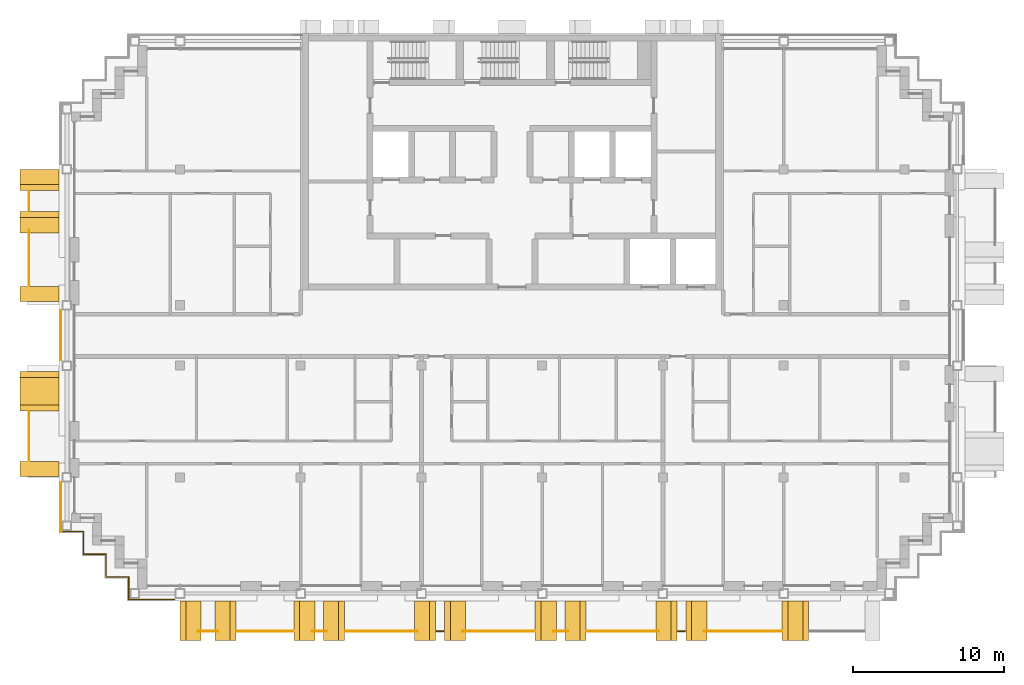
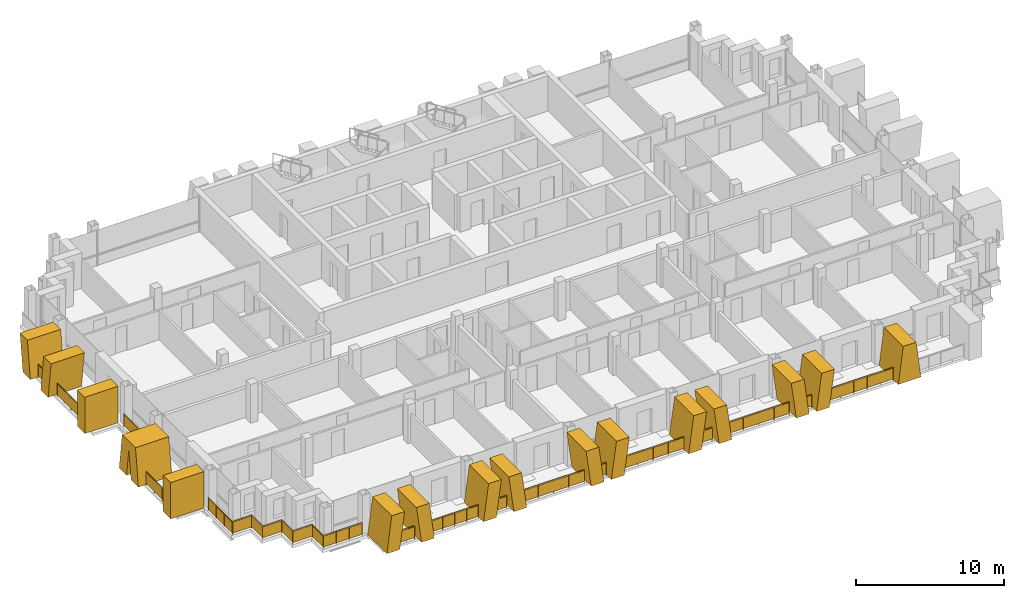
# One storey, part 13 of 16: 16 railings, 16 shading devices.
"""IFC4 building model written with IfcOpenShell, lengths in metres."""

from ifc_helpers import new_model, si_unit, direction, frame, origin, origin_2d, place, context, subcontext, project, spatial, polyline, rectangle, circle, outline, extrude, material, layer, layer_set, type_object, element, save


model = new_model("IFC4")

# Units and contexts
model_context = context("Model", 3, precision=1e-05, world=origin(), true_north=direction((0.0, 1.0)))
body_context = subcontext(model_context, "Body", "Model", "MODEL_VIEW")
ifc_project = project(units=[si_unit("LENGTHUNIT", "METRE"), si_unit("AREAUNIT", "SQUARE_METRE"), si_unit("VOLUMEUNIT", "CUBIC_METRE"), si_unit("PLANEANGLEUNIT", "RADIAN"), si_unit("MASSUNIT", "GRAM", prefix="KILO")], contexts=[model_context])

# Site, building, storey
site_placement = place(None, origin())
site = spatial("IfcSite", under=ifc_project, at=site_placement, CompositionType="ELEMENT")
building_placement = place(site_placement, origin())
building = spatial("IfcBuilding", under=site, at=building_placement, Name="Vidyagriha Tower", CompositionType="ELEMENT")
storey_placement = place(building_placement, frame((0.0, 0.0, 230.0)))
storey = spatial("IfcBuildingStorey", under=building, at=storey_placement, Name="L60", CompositionType="ELEMENT", Elevation=230.0)

# Railings
ifc_material_1 = material(Name="Steel ASTM A500 Grade C black painted", Category="steel")
railing_type_1 = type_object("IfcRailingType", Name="Balcony guard 1100", PredefinedType="BALUSTRADE", material=ifc_material_1)
railing_1_placement = place(storey_placement, frame((-32.0, 9.550048828125, 0.0)))
element("IfcRailing", 1, at=railing_1_placement, inside=storey, type_object=railing_type_1, Name="Balcony guard L60 R16.1-1", PredefinedType="BALUSTRADE", context=body_context, shape_type="SweptSolid", body=[
    extrude(circle(Radius=0.02490234375, at=origin_2d()), frame((0.0, 0.0, 1.0751953125), z_axis=(0.0, -1.0, 0.0), x_axis=(1.0, 0.0, 0.0)), (0.0, 0.0, 1.0), 1.300048828125),
    extrude(circle(Radius=0.02001953125, at=origin_2d()), origin(), (0.0, 0.0, 1.0), 1.050048828125),
    extrude(circle(Radius=0.02001953125, at=origin_2d()), frame((0.0, -0.64990234375, 0.0)), (0.0, 0.0, 1.0), 1.050048828125),
    extrude(circle(Radius=0.02001953125, at=origin_2d()), frame((0.0, -1.300048828125, 0.0)), (0.0, 0.0, 1.0), 1.050048828125),
    extrude(rectangle(XDim=0.010009765625, YDim=0.900146484375, at=origin_2d()), frame((0.0, 0.0, 0.550048828125), z_axis=(0.0, -1.0, 0.0), x_axis=(1.0, 0.0, 0.0)), (0.0, 0.0, 1.0), 1.300048828125),
])
railing_2_placement = place(storey_placement, frame((-32.0, 6.99658203125, 0.0)))
element("IfcRailing", 2, at=railing_2_placement, inside=storey, type_object=railing_type_1, Name="Balcony guard L60 R16.1-2", PredefinedType="BALUSTRADE", context=body_context, shape_type="SweptSolid", body=[
    extrude(circle(Radius=0.02490234375, at=origin_2d()), frame((0.0, 0.0, 1.0751953125), z_axis=(0.0, -1.0, 0.0), x_axis=(1.0, 0.0, 0.0)), (0.0, 0.0, 1.0), 3.696533203125),
    extrude(circle(Radius=0.02001953125, at=origin_2d()), origin(), (0.0, 0.0, 1.0), 1.050048828125),
    extrude(circle(Radius=0.02001953125, at=origin_2d()), frame((0.0, -0.924072265625, 0.0)), (0.0, 0.0, 1.0), 1.050048828125),
    extrude(circle(Radius=0.02001953125, at=origin_2d()), frame((0.0, -1.84814453125, 0.0)), (0.0, 0.0, 1.0), 1.050048828125),
    extrude(circle(Radius=0.02001953125, at=origin_2d()), frame((0.0, -2.7724609375, 0.0)), (0.0, 0.0, 1.0), 1.050048828125),
    extrude(circle(Radius=0.02001953125, at=origin_2d()), frame((0.0, -3.696533203125, 0.0)), (0.0, 0.0, 1.0), 1.050048828125),
    extrude(rectangle(XDim=0.010009765625, YDim=0.900146484375, at=origin_2d()), frame((0.0, 0.0, 0.550048828125), z_axis=(0.0, -1.0, 0.0), x_axis=(1.0, 0.0, 0.0)), (0.0, 0.0, 1.0), 3.696533203125),
])
railing_3_placement = place(storey_placement, frame((-32.0, -5.050048828125, 0.0)))
element("IfcRailing", 3, at=railing_3_placement, inside=storey, type_object=railing_type_1, Name="Balcony guard L60 R16.2-1", PredefinedType="BALUSTRADE", context=body_context, shape_type="SweptSolid", body=[
    extrude(circle(Radius=0.02490234375, at=origin_2d()), frame((0.0, 0.0, 1.0751953125), z_axis=(0.0, -1.0, 0.0), x_axis=(1.0, 0.0, 0.0)), (0.0, 0.0, 1.0), 3.25),
    extrude(circle(Radius=0.02001953125, at=origin_2d()), origin(), (0.0, 0.0, 1.0), 1.050048828125),
    extrude(circle(Radius=0.02001953125, at=origin_2d()), frame((0.0, -1.083251953125, 0.0)), (0.0, 0.0, 1.0), 1.050048828125),
    extrude(circle(Radius=0.02001953125, at=origin_2d()), frame((0.0, -2.166748046875, 0.0)), (0.0, 0.0, 1.0), 1.050048828125),
    extrude(circle(Radius=0.02001953125, at=origin_2d()), frame((0.0, -3.25, 0.0)), (0.0, 0.0, 1.0), 1.050048828125),
    extrude(rectangle(XDim=0.010009765625, YDim=0.900146484375, at=origin_2d()), frame((0.0, 0.0, 0.550048828125), z_axis=(0.0, -1.0, 0.0), x_axis=(1.0, 0.0, 0.0)), (0.0, 0.0, 1.0), 3.25),
])
railing_4_placement = place(storey_placement, frame((-20.80224609375, -19.60009765625, 0.0)))
element("IfcRailing", 4, at=railing_4_placement, inside=storey, type_object=railing_type_1, Name="Balcony guard L60 R23.1-1", PredefinedType="BALUSTRADE", context=body_context, shape_type="SweptSolid", body=[
    extrude(circle(Radius=0.02490234375, at=origin_2d()), frame((0.0, 0.0, 1.0751953125), z_axis=(1.0, 0.0, 0.0), x_axis=(0.0, 1.0, 0.0)), (0.0, 0.0, 1.0), 1.304443359375),
    extrude(circle(Radius=0.02001953125, at=origin_2d()), origin(), (0.0, 0.0, 1.0), 1.050048828125),
    extrude(circle(Radius=0.02001953125, at=origin_2d()), frame((0.65234375, 0.0, 0.0)), (0.0, 0.0, 1.0), 1.050048828125),
    extrude(circle(Radius=0.02001953125, at=origin_2d()), frame((1.304443359375, 0.0, 0.0)), (0.0, 0.0, 1.0), 1.050048828125),
    extrude(rectangle(XDim=0.010009765625, YDim=0.900146484375, at=origin_2d()), frame((0.0, 0.0, 0.550048828125), z_axis=(1.0, 0.0, 0.0), x_axis=(0.0, 1.0, 0.0)), (0.0, 0.0, 1.0), 1.304443359375),
])
railing_5_placement = place(storey_placement, frame((-18.25, -19.60009765625, 0.0)))
element("IfcRailing", 5, at=railing_5_placement, inside=storey, type_object=railing_type_1, Name="Balcony guard L60 R23.1-2", PredefinedType="BALUSTRADE", context=body_context, shape_type="SweptSolid", body=[
    extrude(circle(Radius=0.02490234375, at=origin_2d()), frame((0.0, 0.0, 1.0751953125), z_axis=(1.0, 0.0, 0.0), x_axis=(0.0, 1.0, 0.0)), (0.0, 0.0, 1.0), 3.739990234375),
    extrude(circle(Radius=0.02001953125, at=origin_2d()), origin(), (0.0, 0.0, 1.0), 1.050048828125),
    extrude(circle(Radius=0.02001953125, at=origin_2d()), frame((0.93505859375, 0.0, 0.0)), (0.0, 0.0, 1.0), 1.050048828125),
    extrude(circle(Radius=0.02001953125, at=origin_2d()), frame((1.8701171875, 0.0, 0.0)), (0.0, 0.0, 1.0), 1.050048828125),
    extrude(circle(Radius=0.02001953125, at=origin_2d()), frame((2.804931640625, 0.0, 0.0)), (0.0, 0.0, 1.0), 1.050048828125),
    extrude(circle(Radius=0.02001953125, at=origin_2d()), frame((3.739990234375, 0.0, 0.0)), (0.0, 0.0, 1.0), 1.050048828125),
    extrude(rectangle(XDim=0.010009765625, YDim=0.900146484375, at=origin_2d()), frame((0.0, 0.0, 0.550048828125), z_axis=(1.0, 0.0, 0.0), x_axis=(0.0, 1.0, 0.0)), (0.0, 0.0, 1.0), 3.739990234375),
])
railing_6_placement = place(storey_placement, frame((-13.258544921875, -19.60009765625, 0.0)))
element("IfcRailing", 6, at=railing_6_placement, inside=storey, type_object=railing_type_1, Name="Balcony guard L60 R23.1-3", PredefinedType="BALUSTRADE", context=body_context, shape_type="SweptSolid", body=[
    extrude(circle(Radius=0.02490234375, at=origin_2d()), frame((0.0, 0.0, 1.0751953125), z_axis=(1.0, 0.0, 0.0), x_axis=(0.0, 1.0, 0.0)), (0.0, 0.0, 1.0), 0.967041015625),
    extrude(circle(Radius=0.02001953125, at=origin_2d()), origin(), (0.0, 0.0, 1.0), 1.050048828125),
    extrude(circle(Radius=0.02001953125, at=origin_2d()), frame((0.967041015625, 0.0, 0.0)), (0.0, 0.0, 1.0), 1.050048828125),
    extrude(rectangle(XDim=0.010009765625, YDim=0.900146484375, at=origin_2d()), frame((0.0, 0.0, 0.550048828125), z_axis=(1.0, 0.0, 0.0), x_axis=(0.0, 1.0, 0.0)), (0.0, 0.0, 1.0), 0.967041015625),
])
railing_7_placement = place(storey_placement, frame((-11.0400390625, -19.60009765625, 0.0)))
element("IfcRailing", 7, at=railing_7_placement, inside=storey, type_object=railing_type_1, Name="Balcony guard L60 R23.1-4", PredefinedType="BALUSTRADE", context=body_context, shape_type="SweptSolid", body=[
    extrude(circle(Radius=0.02490234375, at=origin_2d()), frame((0.0, 0.0, 1.0751953125), z_axis=(1.0, 0.0, 0.0), x_axis=(0.0, 1.0, 0.0)), (0.0, 0.0, 1.0), 4.773681640625),
    extrude(circle(Radius=0.02001953125, at=origin_2d()), origin(), (0.0, 0.0, 1.0), 1.050048828125),
    extrude(circle(Radius=0.02001953125, at=origin_2d()), frame((1.193359375, 0.0, 0.0)), (0.0, 0.0, 1.0), 1.050048828125),
    extrude(circle(Radius=0.02001953125, at=origin_2d()), frame((2.38671875, 0.0, 0.0)), (0.0, 0.0, 1.0), 1.050048828125),
    extrude(circle(Radius=0.02001953125, at=origin_2d()), frame((3.580322265625, 0.0, 0.0)), (0.0, 0.0, 1.0), 1.050048828125),
    extrude(circle(Radius=0.02001953125, at=origin_2d()), frame((4.773681640625, 0.0, 0.0)), (0.0, 0.0, 1.0), 1.050048828125),
    extrude(rectangle(XDim=0.010009765625, YDim=0.900146484375, at=origin_2d()), frame((0.0, 0.0, 0.550048828125), z_axis=(1.0, 0.0, 0.0), x_axis=(0.0, 1.0, 0.0)), (0.0, 0.0, 1.0), 4.773681640625),
])
railing_8_placement = place(storey_placement, frame((-5.014892578125, -19.60009765625, 0.0)))
element("IfcRailing", 8, at=railing_8_placement, inside=storey, type_object=railing_type_1, Name="Balcony guard L60 R23.1-5", PredefinedType="BALUSTRADE", context=body_context, shape_type="SweptSolid", body=[
    extrude(circle(Radius=0.02490234375, at=origin_2d()), frame((0.0, 0.0, 1.0751953125), z_axis=(1.0, 0.0, 0.0), x_axis=(0.0, 1.0, 0.0)), (0.0, 0.0, 1.0), 0.47998046875),
    extrude(circle(Radius=0.02001953125, at=origin_2d()), origin(), (0.0, 0.0, 1.0), 1.050048828125),
    extrude(circle(Radius=0.02001953125, at=origin_2d()), frame((0.47998046875, 0.0, 0.0)), (0.0, 0.0, 1.0), 1.050048828125),
    extrude(rectangle(XDim=0.010009765625, YDim=0.900146484375, at=origin_2d()), frame((0.0, 0.0, 0.550048828125), z_axis=(1.0, 0.0, 0.0), x_axis=(0.0, 1.0, 0.0)), (0.0, 0.0, 1.0), 0.47998046875),
])
railing_9_placement = place(storey_placement, frame((-3.28369140625, -19.60009765625, 0.0)))
element("IfcRailing", 9, at=railing_9_placement, inside=storey, type_object=railing_type_1, Name="Balcony guard L60 R23.1-6", PredefinedType="BALUSTRADE", context=body_context, shape_type="SweptSolid", body=[
    extrude(circle(Radius=0.02490234375, at=origin_2d()), frame((0.0, 0.0, 1.0751953125), z_axis=(1.0, 0.0, 0.0), x_axis=(0.0, 1.0, 0.0)), (0.0, 0.0, 1.0), 4.773681640625),
    extrude(circle(Radius=0.02001953125, at=origin_2d()), origin(), (0.0, 0.0, 1.0), 1.050048828125),
    extrude(circle(Radius=0.02001953125, at=origin_2d()), frame((1.193359375, 0.0, 0.0)), (0.0, 0.0, 1.0), 1.050048828125),
    extrude(circle(Radius=0.02001953125, at=origin_2d()), frame((2.38671875, 0.0, 0.0)), (0.0, 0.0, 1.0), 1.050048828125),
    extrude(circle(Radius=0.02001953125, at=origin_2d()), frame((3.580322265625, 0.0, 0.0)), (0.0, 0.0, 1.0), 1.050048828125),
    extrude(circle(Radius=0.02001953125, at=origin_2d()), frame((4.773681640625, 0.0, 0.0)), (0.0, 0.0, 1.0), 1.050048828125),
    extrude(rectangle(XDim=0.010009765625, YDim=0.900146484375, at=origin_2d()), frame((0.0, 0.0, 0.550048828125), z_axis=(1.0, 0.0, 0.0), x_axis=(0.0, 1.0, 0.0)), (0.0, 0.0, 1.0), 4.773681640625),
])
railing_10_placement = place(storey_placement, frame((2.741455078125, -19.60009765625, 0.0)))
element("IfcRailing", 10, at=railing_10_placement, inside=storey, type_object=railing_type_1, Name="Balcony guard L60 R23.1-7", PredefinedType="BALUSTRADE", context=body_context, shape_type="SweptSolid", body=[
    extrude(circle(Radius=0.02490234375, at=origin_2d()), frame((0.0, 0.0, 1.0751953125), z_axis=(1.0, 0.0, 0.0), x_axis=(0.0, 1.0, 0.0)), (0.0, 0.0, 1.0), 0.967041015625),
    extrude(circle(Radius=0.02001953125, at=origin_2d()), origin(), (0.0, 0.0, 1.0), 1.050048828125),
    extrude(circle(Radius=0.02001953125, at=origin_2d()), frame((0.967041015625, 0.0, 0.0)), (0.0, 0.0, 1.0), 1.050048828125),
    extrude(rectangle(XDim=0.010009765625, YDim=0.900146484375, at=origin_2d()), frame((0.0, 0.0, 0.550048828125), z_axis=(1.0, 0.0, 0.0), x_axis=(0.0, 1.0, 0.0)), (0.0, 0.0, 1.0), 0.967041015625),
])
railing_11_placement = place(storey_placement, frame((4.9599609375, -19.60009765625, 0.0)))
element("IfcRailing", 11, at=railing_11_placement, inside=storey, type_object=railing_type_1, Name="Balcony guard L60 R23.1-8", PredefinedType="BALUSTRADE", context=body_context, shape_type="SweptSolid", body=[
    extrude(circle(Radius=0.02490234375, at=origin_2d()), frame((0.0, 0.0, 1.0751953125), z_axis=(1.0, 0.0, 0.0), x_axis=(0.0, 1.0, 0.0)), (0.0, 0.0, 1.0), 4.773681640625),
    extrude(circle(Radius=0.02001953125, at=origin_2d()), origin(), (0.0, 0.0, 1.0), 1.050048828125),
    extrude(circle(Radius=0.02001953125, at=origin_2d()), frame((1.193359375, 0.0, 0.0)), (0.0, 0.0, 1.0), 1.050048828125),
    extrude(circle(Radius=0.02001953125, at=origin_2d()), frame((2.38671875, 0.0, 0.0)), (0.0, 0.0, 1.0), 1.050048828125),
    extrude(circle(Radius=0.02001953125, at=origin_2d()), frame((3.580322265625, 0.0, 0.0)), (0.0, 0.0, 1.0), 1.050048828125),
    extrude(circle(Radius=0.02001953125, at=origin_2d()), frame((4.773681640625, 0.0, 0.0)), (0.0, 0.0, 1.0), 1.050048828125),
    extrude(rectangle(XDim=0.010009765625, YDim=0.900146484375, at=origin_2d()), frame((0.0, 0.0, 0.550048828125), z_axis=(1.0, 0.0, 0.0), x_axis=(0.0, 1.0, 0.0)), (0.0, 0.0, 1.0), 4.773681640625),
])
railing_12_placement = place(storey_placement, frame((10.985107421875, -19.60009765625, 0.0)))
element("IfcRailing", 12, at=railing_12_placement, inside=storey, type_object=railing_type_1, Name="Balcony guard L60 R23.1-9", PredefinedType="BALUSTRADE", context=body_context, shape_type="SweptSolid", body=[
    extrude(circle(Radius=0.02490234375, at=origin_2d()), frame((0.0, 0.0, 1.0751953125), z_axis=(1.0, 0.0, 0.0), x_axis=(0.0, 1.0, 0.0)), (0.0, 0.0, 1.0), 0.47998046875),
    extrude(circle(Radius=0.02001953125, at=origin_2d()), origin(), (0.0, 0.0, 1.0), 1.050048828125),
    extrude(circle(Radius=0.02001953125, at=origin_2d()), frame((0.47998046875, 0.0, 0.0)), (0.0, 0.0, 1.0), 1.050048828125),
    extrude(rectangle(XDim=0.010009765625, YDim=0.900146484375, at=origin_2d()), frame((0.0, 0.0, 0.550048828125), z_axis=(1.0, 0.0, 0.0), x_axis=(0.0, 1.0, 0.0)), (0.0, 0.0, 1.0), 0.47998046875),
])
railing_13_placement = place(storey_placement, frame((12.71630859375, -19.60009765625, 0.0)))
element("IfcRailing", 13, at=railing_13_placement, inside=storey, type_object=railing_type_1, Name="Balcony guard L60 R23.1-10", PredefinedType="BALUSTRADE", context=body_context, shape_type="SweptSolid", body=[
    extrude(circle(Radius=0.02490234375, at=origin_2d()), frame((0.0, 0.0, 1.0751953125), z_axis=(1.0, 0.0, 0.0), x_axis=(0.0, 1.0, 0.0)), (0.0, 0.0, 1.0), 5.12744140625),
    extrude(circle(Radius=0.02001953125, at=origin_2d()), origin(), (0.0, 0.0, 1.0), 1.050048828125),
    extrude(circle(Radius=0.02001953125, at=origin_2d()), frame((1.025390625, 0.0, 0.0)), (0.0, 0.0, 1.0), 1.050048828125),
    extrude(circle(Radius=0.02001953125, at=origin_2d()), frame((2.051025390625, 0.0, 0.0)), (0.0, 0.0, 1.0), 1.050048828125),
    extrude(circle(Radius=0.02001953125, at=origin_2d()), frame((3.076416015625, 0.0, 0.0)), (0.0, 0.0, 1.0), 1.050048828125),
    extrude(circle(Radius=0.02001953125, at=origin_2d()), frame((4.10205078125, 0.0, 0.0)), (0.0, 0.0, 1.0), 1.050048828125),
    extrude(circle(Radius=0.02001953125, at=origin_2d()), frame((5.12744140625, 0.0, 0.0)), (0.0, 0.0, 1.0), 1.050048828125),
    extrude(rectangle(XDim=0.010009765625, YDim=0.900146484375, at=origin_2d()), frame((0.0, 0.0, 0.550048828125), z_axis=(1.0, 0.0, 0.0), x_axis=(0.0, 1.0, 0.0)), (0.0, 0.0, 1.0), 5.12744140625),
])

# Shading devices
ifc_material_2 = material(Name="Precast concrete C40/50 with buff brick facing", Category="concrete")
ifc_layer_1 = layer(ifc_material_2, 1.0)
ifc_layer_set_1 = layer_set([ifc_layer_1], Name="Precast concrete C40/50 with buff brick facing")
shading_device_type_1 = type_object("IfcShadingDeviceType", Name="Brick-faced blade fin arm leaning 8 degrees", PredefinedType="USERDEFINED", material=ifc_layer_set_1)
shading_device_1_placement = place(storey_placement, frame((-31.300048828125, 8.199951171875, 0.0), z_axis=(0.0, 0.0, 1.0), x_axis=(0.0, -1.0, 0.0)))
element("IfcShadingDevice", 14, at=shading_device_1_placement, inside=storey, type_object=shading_device_type_1, Name="Leaning blade fin L60 R16.320a", ObjectType="BLADE FIN", PredefinedType="USERDEFINED", context=body_context, shape_type="SweptSolid", body=[
    extrude(outline(polyline([(0.0, 0.0), (1.0, 0.0), (1.39990234375, 3.0), (0.39990234375, 3.0), (0.0, 0.0)])), frame((0.0, 1.300048828125, 0.0), z_axis=(0.0, -1.0, 0.0), x_axis=(1.0, 0.0, 0.0)), (0.0, 0.0, 1.0), 2.60009765625),
])
shading_device_2_placement = place(storey_placement, frame((-31.300048828125, 11.0, 0.0), z_axis=(0.0, 0.0, 1.0), x_axis=(0.0, -1.0, 0.0)))
element("IfcShadingDevice", 15, at=shading_device_2_placement, inside=storey, type_object=shading_device_type_1, Name="Leaning blade fin L60 R16.320b", ObjectType="BLADE FIN", PredefinedType="USERDEFINED", context=body_context, shape_type="SweptSolid", body=[
    extrude(outline(polyline([(0.39990234375, 0.0), (1.39990234375, 0.0), (1.0, 3.0), (0.0, 3.0), (0.39990234375, 0.0)])), frame((0.0, 1.300048828125, 0.0), z_axis=(0.0, -1.0, 0.0), x_axis=(1.0, 0.0, 0.0)), (0.0, 0.0, 1.0), 2.60009765625),
])
shading_device_3_placement = place(storey_placement, frame((-19.685791015625, -18.89990234375, 0.0)))
element("IfcShadingDevice", 16, at=shading_device_3_placement, inside=storey, type_object=shading_device_type_1, Name="Leaning blade fin L60 R23.220a", ObjectType="BLADE FIN", PredefinedType="USERDEFINED", context=body_context, shape_type="SweptSolid", body=[
    extrude(outline(polyline([(0.3857421875, 0.0), (1.3857421875, 0.0), (1.0, 3.0), (0.0, 3.0), (0.3857421875, 0.0)])), frame((0.0, 1.300048828125, 0.0), z_axis=(0.0, -1.0, 0.0), x_axis=(1.0, 0.0, 0.0)), (0.0, 0.0, 1.0), 2.60009765625),
])
shading_device_4_placement = place(storey_placement, frame((-22.0, -18.89990234375, 0.0)))
element("IfcShadingDevice", 17, at=shading_device_4_placement, inside=storey, type_object=shading_device_type_1, Name="Leaning blade fin L60 R23.220b", ObjectType="BLADE FIN", PredefinedType="USERDEFINED", context=body_context, shape_type="SweptSolid", body=[
    extrude(outline(polyline([(0.0, 0.0), (1.0, 0.0), (1.3857421875, 3.0), (0.3857421875, 3.0), (0.0, 0.0)])), frame((0.0, 1.300048828125, 0.0), z_axis=(0.0, -1.0, 0.0), x_axis=(1.0, 0.0, 0.0)), (0.0, 0.0, 1.0), 2.60009765625),
])
shading_device_5_placement = place(storey_placement, frame((-12.485107421875, -18.89990234375, 0.0)))
element("IfcShadingDevice", 18, at=shading_device_5_placement, inside=storey, type_object=shading_device_type_1, Name="Leaning blade fin L60 R23.1020a", ObjectType="BLADE FIN", PredefinedType="USERDEFINED", context=body_context, shape_type="SweptSolid", body=[
    extrude(outline(polyline([(0.39501953125, 0.0), (1.39501953125, 0.0), (1.0, 3.0), (0.0, 3.0), (0.39501953125, 0.0)])), frame((0.0, 1.300048828125, 0.0), z_axis=(0.0, -1.0, 0.0), x_axis=(1.0, 0.0, 0.0)), (0.0, 0.0, 1.0), 2.60009765625),
])
for number, where, name in (
    (19, (-14.4599609375, -18.89990234375, 0.0), "Leaning blade fin L60 R23.1020b"),
    (20, (-4.485107421875, -18.89990234375, 0.0), "Leaning blade fin L60 R23.1820a"),
):
    element("IfcShadingDevice", number, at=place(storey_placement, frame(where)), inside=storey, type_object=shading_device_type_1, Name=name, ObjectType="BLADE FIN", PredefinedType="USERDEFINED", context=body_context, shape_type="SweptSolid", body=[
        extrude(outline(polyline([(0.0, 0.0), (1.0, 0.0), (1.39501953125, 3.0), (0.39501953125, 3.0), (0.0, 0.0)])), frame((0.0, 1.300048828125, 0.0), z_axis=(0.0, -1.0, 0.0), x_axis=(1.0, 0.0, 0.0)), (0.0, 0.0, 1.0), 2.60009765625),
    ])
for number, where, name in (
    (21, (-6.4599609375, -18.89990234375, 0.0), "Leaning blade fin L60 R23.1820b"),
    (22, (3.514892578125, -18.89990234375, 0.0), "Leaning blade fin L60 R23.2620a"),
):
    element("IfcShadingDevice", number, at=place(storey_placement, frame(where)), inside=storey, type_object=shading_device_type_1, Name=name, ObjectType="BLADE FIN", PredefinedType="USERDEFINED", context=body_context, shape_type="SweptSolid", body=[
        extrude(outline(polyline([(0.39501953125, 0.0), (1.39501953125, 0.0), (1.0, 3.0), (0.0, 3.0), (0.39501953125, 0.0)])), frame((0.0, 1.300048828125, 0.0), z_axis=(0.0, -1.0, 0.0), x_axis=(1.0, 0.0, 0.0)), (0.0, 0.0, 1.0), 2.60009765625),
    ])
for number, where, name in (
    (23, (1.5400390625, -18.89990234375, 0.0), "Leaning blade fin L60 R23.2620b"),
    (24, (11.514892578125, -18.89990234375, 0.0), "Leaning blade fin L60 R23.3420a"),
):
    element("IfcShadingDevice", number, at=place(storey_placement, frame(where)), inside=storey, type_object=shading_device_type_1, Name=name, ObjectType="BLADE FIN", PredefinedType="USERDEFINED", context=body_context, shape_type="SweptSolid", body=[
        extrude(outline(polyline([(0.0, 0.0), (1.0, 0.0), (1.39501953125, 3.0), (0.39501953125, 3.0), (0.0, 0.0)])), frame((0.0, 1.300048828125, 0.0), z_axis=(0.0, -1.0, 0.0), x_axis=(1.0, 0.0, 0.0)), (0.0, 0.0, 1.0), 2.60009765625),
    ])
shading_device_6_placement = place(storey_placement, frame((9.5400390625, -18.89990234375, 0.0)))
element("IfcShadingDevice", 25, at=shading_device_6_placement, inside=storey, type_object=shading_device_type_1, Name="Leaning blade fin L60 R23.3420b", ObjectType="BLADE FIN", PredefinedType="USERDEFINED", context=body_context, shape_type="SweptSolid", body=[
    extrude(outline(polyline([(0.39501953125, 0.0), (1.39501953125, 0.0), (1.0, 3.0), (0.0, 3.0), (0.39501953125, 0.0)])), frame((0.0, 1.300048828125, 0.0), z_axis=(0.0, -1.0, 0.0), x_axis=(1.0, 0.0, 0.0)), (0.0, 0.0, 1.0), 2.60009765625),
])
ifc_material_3 = material(Name="Precast concrete C40/50 with buff brick facing", Category="concrete")
ifc_layer_2 = layer(ifc_material_3, 1.0)
ifc_layer_set_2 = layer_set([ifc_layer_2], Name="Precast concrete C40/50 with buff brick facing")
shading_device_type_2 = type_object("IfcShadingDeviceType", Name="Brick-faced blade fin forking 8 degrees", PredefinedType="USERDEFINED", material=ifc_layer_set_2)
shading_device_7_placement = place(storey_placement, frame((-31.300048828125, -2.39990234375, 0.0), z_axis=(0.0, 0.0, 1.0), x_axis=(0.0, -1.0, 0.0)))
element("IfcShadingDevice", 26, at=shading_device_7_placement, inside=storey, type_object=shading_device_type_2, Name="Forked blade fin L60 R16.1620a", ObjectType="BLADE FIN", PredefinedType="USERDEFINED", context=body_context, shape_type="SweptSolid", body=[
    extrude(outline(polyline([(1.0, 0.0), (1.300048828125, 2.25), (1.60009765625, 0.0), (2.60009765625, 0.0), (2.199951171875, 3.0), (0.39990234375, 3.0), (0.0, 0.0), (1.0, 0.0)])), frame((0.0, 1.300048828125, 0.0), z_axis=(0.0, -1.0, 0.0), x_axis=(1.0, 0.0, 0.0)), (0.0, 0.0, 1.0), 2.60009765625),
])
shading_device_8_placement = place(storey_placement, frame((17.893798828125, -18.89990234375, 0.0)))
element("IfcShadingDevice", 27, at=shading_device_8_placement, inside=storey, type_object=shading_device_type_2, Name="Forked blade fin L60 R23.4220a", ObjectType="BLADE FIN", PredefinedType="USERDEFINED", context=body_context, shape_type="SweptSolid", body=[
    extrude(outline(polyline([(0.0, 0.0), (1.762451171875, 0.0), (1.381103515625, 3.0), (0.381103515625, 3.0), (0.0, 0.0)])), frame((0.0, 1.300048828125, 0.0), z_axis=(0.0, -1.0, 0.0), x_axis=(1.0, 0.0, 0.0)), (0.0, 0.0, 1.0), 2.60009765625),
])
ifc_material_4 = material(Name="Precast concrete C40/50 with buff brick facing", Category="concrete")
ifc_layer_3 = layer(ifc_material_4, 1.0)
ifc_layer_set_3 = layer_set([ifc_layer_3], Name="Precast concrete C40/50 with buff brick facing")
shading_device_type_3 = type_object("IfcShadingDeviceType", Name="Brick-faced blade fin stem 1000", PredefinedType="USERDEFINED", material=ifc_layer_set_3)
for number, where, z_axis, x_axis, name in (
    (28, (-31.300048828125, 3.25, 0.0), (0.0, 0.0, 1.0), (0.0, -1.0, 0.0), "Stem blade fin L60 R16.1220a"),
    (29, (-31.300048828125, -8.35009765625, 0.0), (0.0, 0.0, 1.0), (0.0, -1.0, 0.0), "Stem blade fin L60 R16.2360a"),
):
    element("IfcShadingDevice", number, at=place(storey_placement, frame(where, z_axis=z_axis, x_axis=x_axis)), inside=storey, type_object=shading_device_type_3, Name=name, ObjectType="BLADE FIN", PredefinedType="USERDEFINED", context=body_context, shape_type="SweptSolid", body=[
        extrude(outline(polyline([(0.0, 0.0), (1.0, 0.0), (1.0, 3.0), (0.0, 3.0), (0.0, 0.0)])), frame((0.0, 1.300048828125, 0.0), z_axis=(0.0, -1.0, 0.0), x_axis=(1.0, 0.0, 0.0)), (0.0, 0.0, 1.0), 2.60009765625),
    ])

# Railings
ifc_material_5 = material(Name="Steel ASTM A500 Grade C black painted", Category="steel")
railing_type_2 = type_object("IfcRailingType", Name="Gallery guard 1100", PredefinedType="GUARDRAIL", material=ifc_material_5)
railing_14_placement = place(storey_placement, frame((-22.360107421875, -17.5, 0.0)))
element("IfcRailing", 30, at=railing_14_placement, inside=storey, type_object=railing_type_2, Name="Gallery guard L60 1", PredefinedType="GUARDRAIL", context=body_context, shape_type="SweptSolid", body=[
    extrude(circle(Radius=0.02490234375, at=origin_2d()), frame((0.0, 0.0, 1.0751953125), z_axis=(-1.0, 0.0, 0.0), x_axis=(0.0, -1.0, 0.0)), (0.0, 0.0, 1.0), 3.039794921875),
    extrude(circle(Radius=0.02490234375, at=origin_2d()), frame((-3.039794921875, 0.0, 1.0751953125), z_axis=(0.0, 1.0, 0.0), x_axis=(-1.0, 0.0, 0.0)), (0.0, 0.0, 1.0), 1.5),
    extrude(circle(Radius=0.02490234375, at=origin_2d()), frame((-3.039794921875, 1.5, 1.0751953125), z_axis=(-1.0, 0.0, 0.0), x_axis=(0.0, -1.0, 0.0)), (0.0, 0.0, 1.0), 1.5),
    extrude(circle(Radius=0.02490234375, at=origin_2d()), frame((-4.539794921875, 1.5, 1.0751953125), z_axis=(0.0, 1.0, 0.0), x_axis=(-1.0, 0.0, 0.0)), (0.0, 0.0, 1.0), 1.5),
    extrude(circle(Radius=0.02490234375, at=origin_2d()), frame((-4.539794921875, 3.0, 1.0751953125), z_axis=(-1.0, 0.0, 0.0), x_axis=(0.0, -1.0, 0.0)), (0.0, 0.0, 1.0), 1.5),
    extrude(circle(Radius=0.02490234375, at=origin_2d()), frame((-6.039794921875, 3.0, 1.0751953125), z_axis=(0.0, 1.0, 0.0), x_axis=(-1.0, 0.0, 0.0)), (0.0, 0.0, 1.0), 1.5),
    extrude(circle(Radius=0.02490234375, at=origin_2d()), frame((-6.039794921875, 4.5, 1.0751953125), z_axis=(-1.0, 0.0, 0.0), x_axis=(0.0, -1.0, 0.0)), (0.0, 0.0, 1.0), 1.460205078125),
    extrude(circle(Radius=0.02001953125, at=origin_2d()), origin(), (0.0, 0.0, 1.0), 1.050048828125),
    extrude(circle(Radius=0.02001953125, at=origin_2d()), frame((-1.01318359375, 0.0, 0.0)), (0.0, 0.0, 1.0), 1.050048828125),
    extrude(circle(Radius=0.02001953125, at=origin_2d()), frame((-2.026611328125, 0.0, 0.0)), (0.0, 0.0, 1.0), 1.050048828125),
    extrude(circle(Radius=0.02001953125, at=origin_2d()), frame((-3.039794921875, 0.0, 0.0)), (0.0, 0.0, 1.0), 1.050048828125),
    extrude(circle(Radius=0.02001953125, at=origin_2d()), frame((-3.039794921875, 1.5, 0.0)), (0.0, 0.0, 1.0), 1.050048828125),
    extrude(circle(Radius=0.02001953125, at=origin_2d()), frame((-4.539794921875, 1.5, 0.0)), (0.0, 0.0, 1.0), 1.050048828125),
    extrude(circle(Radius=0.02001953125, at=origin_2d()), frame((-4.539794921875, 3.0, 0.0)), (0.0, 0.0, 1.0), 1.050048828125),
    extrude(circle(Radius=0.02001953125, at=origin_2d()), frame((-6.039794921875, 3.0, 0.0)), (0.0, 0.0, 1.0), 1.050048828125),
    extrude(circle(Radius=0.02001953125, at=origin_2d()), frame((-6.039794921875, 4.5, 0.0)), (0.0, 0.0, 1.0), 1.050048828125),
    extrude(circle(Radius=0.02001953125, at=origin_2d()), frame((-7.5, 4.5, 0.0)), (0.0, 0.0, 1.0), 1.050048828125),
    extrude(rectangle(XDim=0.010009765625, YDim=0.900146484375, at=origin_2d()), frame((0.0, 0.0, 0.550048828125), z_axis=(-1.0, 0.0, 0.0), x_axis=(0.0, -1.0, 0.0)), (0.0, 0.0, 1.0), 3.039794921875),
    extrude(rectangle(XDim=0.010009765625, YDim=0.900146484375, at=origin_2d()), frame((-3.039794921875, 0.0, 0.550048828125), z_axis=(0.0, 1.0, 0.0), x_axis=(-1.0, 0.0, 0.0)), (0.0, 0.0, 1.0), 1.5),
    extrude(rectangle(XDim=0.010009765625, YDim=0.900146484375, at=origin_2d()), frame((-3.039794921875, 1.5, 0.550048828125), z_axis=(-1.0, 0.0, 0.0), x_axis=(0.0, -1.0, 0.0)), (0.0, 0.0, 1.0), 1.5),
    extrude(rectangle(XDim=0.010009765625, YDim=0.900146484375, at=origin_2d()), frame((-4.539794921875, 1.5, 0.550048828125), z_axis=(0.0, 1.0, 0.0), x_axis=(-1.0, 0.0, 0.0)), (0.0, 0.0, 1.0), 1.5),
    extrude(rectangle(XDim=0.010009765625, YDim=0.900146484375, at=origin_2d()), frame((-4.539794921875, 3.0, 0.550048828125), z_axis=(-1.0, 0.0, 0.0), x_axis=(0.0, -1.0, 0.0)), (0.0, 0.0, 1.0), 1.5),
    extrude(rectangle(XDim=0.010009765625, YDim=0.900146484375, at=origin_2d()), frame((-6.039794921875, 3.0, 0.550048828125), z_axis=(0.0, 1.0, 0.0), x_axis=(-1.0, 0.0, 0.0)), (0.0, 0.0, 1.0), 1.5),
    extrude(rectangle(XDim=0.010009765625, YDim=0.900146484375, at=origin_2d()), frame((-6.039794921875, 4.5, 0.550048828125), z_axis=(-1.0, 0.0, 0.0), x_axis=(0.0, -1.0, 0.0)), (0.0, 0.0, 1.0), 1.460205078125),
])
railing_15_placement = place(storey_placement, frame((-29.860107421875, -13.0, 0.0)))
element("IfcRailing", 31, at=railing_15_placement, inside=storey, type_object=railing_type_2, Name="Gallery guard L60 2", PredefinedType="GUARDRAIL", context=body_context, shape_type="SweptSolid", body=[
    extrude(circle(Radius=0.02490234375, at=origin_2d()), frame((0.0, 0.0, 1.0751953125), z_axis=(-1.0, 0.0, 0.0), x_axis=(0.0, -1.0, 0.0)), (0.0, 0.0, 1.0), 0.039794921875),
    extrude(circle(Radius=0.02490234375, at=origin_2d()), frame((-0.039794921875, 0.0, 1.0751953125), z_axis=(0.0, 1.0, 0.0), x_axis=(-1.0, 0.0, 0.0)), (0.0, 0.0, 1.0), 3.239990234375),
    extrude(circle(Radius=0.02001953125, at=origin_2d()), origin(), (0.0, 0.0, 1.0), 1.050048828125),
    extrude(circle(Radius=0.02001953125, at=origin_2d()), frame((-0.039794921875, 0.0, 0.0)), (0.0, 0.0, 1.0), 1.050048828125),
    extrude(circle(Radius=0.02001953125, at=origin_2d()), frame((-0.039794921875, 1.080078125, 0.0)), (0.0, 0.0, 1.0), 1.050048828125),
    extrude(circle(Radius=0.02001953125, at=origin_2d()), frame((-0.039794921875, 2.159912109375, 0.0)), (0.0, 0.0, 1.0), 1.050048828125),
    extrude(circle(Radius=0.02001953125, at=origin_2d()), frame((-0.039794921875, 3.239990234375, 0.0)), (0.0, 0.0, 1.0), 1.050048828125),
    extrude(rectangle(XDim=0.010009765625, YDim=0.900146484375, at=origin_2d()), frame((0.0, 0.0, 0.550048828125), z_axis=(-1.0, 0.0, 0.0), x_axis=(0.0, -1.0, 0.0)), (0.0, 0.0, 1.0), 0.039794921875),
    extrude(rectangle(XDim=0.010009765625, YDim=0.900146484375, at=origin_2d()), frame((-0.039794921875, 0.0, 0.550048828125), z_axis=(0.0, 1.0, 0.0), x_axis=(-1.0, 0.0, 0.0)), (0.0, 0.0, 1.0), 3.239990234375),
])
railing_16_placement = place(storey_placement, frame((-29.89990234375, -1.639892578125, 0.0)))
element("IfcRailing", 32, at=railing_16_placement, inside=storey, type_object=railing_type_2, Name="Gallery guard L60 3", PredefinedType="GUARDRAIL", context=body_context, shape_type="SweptSolid", body=[
    extrude(circle(Radius=0.02490234375, at=origin_2d()), frame((0.0, 0.0, 1.0751953125), z_axis=(0.0, 1.0, 0.0), x_axis=(-1.0, 0.0, 0.0)), (0.0, 0.0, 1.0), 3.27978515625),
    extrude(circle(Radius=0.02001953125, at=origin_2d()), origin(), (0.0, 0.0, 1.0), 1.050048828125),
    extrude(circle(Radius=0.02001953125, at=origin_2d()), frame((0.0, 1.09326171875, 0.0)), (0.0, 0.0, 1.0), 1.050048828125),
    extrude(circle(Radius=0.02001953125, at=origin_2d()), frame((0.0, 2.1865234375, 0.0)), (0.0, 0.0, 1.0), 1.050048828125),
    extrude(circle(Radius=0.02001953125, at=origin_2d()), frame((0.0, 3.27978515625, 0.0)), (0.0, 0.0, 1.0), 1.050048828125),
    extrude(rectangle(XDim=0.010009765625, YDim=0.900146484375, at=origin_2d()), frame((0.0, 0.0, 0.550048828125), z_axis=(0.0, 1.0, 0.0), x_axis=(-1.0, 0.0, 0.0)), (0.0, 0.0, 1.0), 3.27978515625),
])

save(model, "model.ifc")
